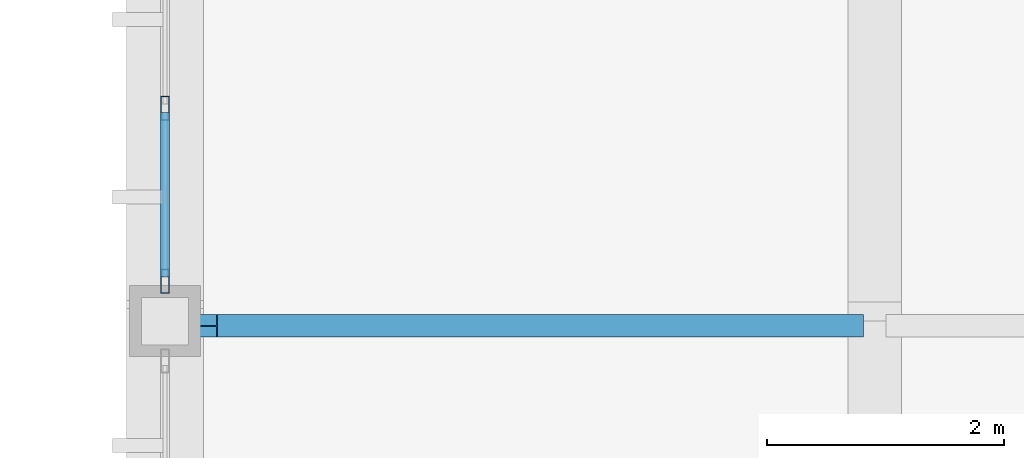
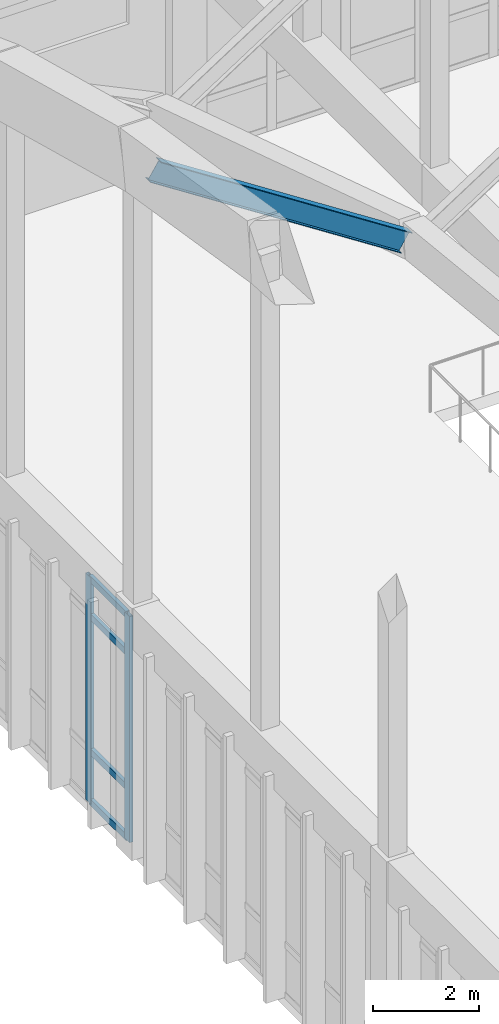
# One storey, part 63 of 236: 6 members, 1 beam, 1 element without a shape of its own.
"""IFC4 building model written with IfcOpenShell, lengths in metres."""

from ifc_helpers import new_model, si_unit, direction, frame, origin, origin_2d, place, context, subcontext, project, spatial, hollow_rectangle, i_section, extrude, material, layer, layer_set, material_profile, profile_set, type_object, element, aggregate, save


model = new_model("IFC4")

# Units and contexts
model_context = context("Model", 3, precision=1e-05, world=origin(), true_north=direction((0.0, 1.0)))
body_context = subcontext(model_context, "Body", "Model", "MODEL_VIEW")
ifc_project = project(units=[si_unit("LENGTHUNIT", "METRE"), si_unit("AREAUNIT", "SQUARE_METRE"), si_unit("VOLUMEUNIT", "CUBIC_METRE"), si_unit("PLANEANGLEUNIT", "RADIAN"), si_unit("MASSUNIT", "GRAM", prefix="KILO")], contexts=[model_context])

# Site, building, storey
site_placement = place(None, origin())
site = spatial("IfcSite", under=ifc_project, at=site_placement, CompositionType="ELEMENT")
building_placement = place(site_placement, origin())
building = spatial("IfcBuilding", under=site, at=building_placement, Name="Pandanus Reach Market Hall", CompositionType="ELEMENT")
storey_placement = place(building_placement, frame((0.0, 0.0, 5.39990234375)))
storey = spatial("IfcBuildingStorey", under=building, at=storey_placement, Name="L01", CompositionType="ELEMENT", Elevation=5.39990234375)

# Beam
ifc_material_1 = material(Name="Steel Grade 350 (350 MPa)", Category="steel")
ifc_material_profile_1 = material_profile(ifc_material_1, i_section(OverallWidth=0.18994140625, OverallDepth=0.45703125, WebThickness=0.009033203125, FlangeThickness=0.014404296875, at=origin_2d()), Name="460UB74.6", Category="LoadBearing")
ifc_profile_set_1 = profile_set([ifc_material_profile_1], Name="Steel Grade 350 (350 MPa)")
beam_type = type_object("IfcBeamType", Name="BM-UB460-I", PredefinedType="BEAM", material=ifc_profile_set_1)
beam_placement = place(storey_placement, frame((48.320068359375, 67.159912109375, 15.516357421875), z_axis=(0.839070527962, 0.0, -0.544022654956), x_axis=(0.0, 1.0, 0.0)))
element("IfcBeam", 1, at=beam_placement, inside=storey, type_object=beam_type, Name="Butterfly transverse rib B1.5L", PredefinedType="BEAM", context=body_context, shape_type="SweptSolid", body=[
    extrude(i_section(OverallWidth=0.18994140625, OverallDepth=0.45703125, WebThickness=0.009033203125, FlangeThickness=0.014404296875, at=origin_2d()), origin(), (0.0, 0.0, 1.0), 6.507080078125),
])

# Curtain wall, members
ifc_material_2 = material(Name="Bronze anodised aluminium and low-E glass", Category="aluminium")
ifc_layer = layer(ifc_material_2, 0.199951171875, Name="CW-05")
ifc_layer_set = layer_set([ifc_layer], Name="Bronze anodised aluminium and low-E glass")
curtain_wall_type = type_object("IfcCurtainWallType", Name="CW-05", PredefinedType="NOTDEFINED", material=ifc_layer_set)
curtain_wall_placement = place(storey_placement, origin())
curtain_wall = element("IfcCurtainWall", 2, at=curtain_wall_placement, inside=storey, type_object=curtain_wall_type, Name="Glazed curtain wall CW-05 CW-0032", PredefinedType="NOTDEFINED")
ifc_material_3 = material(Name="Bronze anodised aluminium", Category="aluminium")
ifc_material_profile_2 = material_profile(ifc_material_3, hollow_rectangle(XDim=0.074951171875, YDim=0.199951171875, WallThickness=0.00439453125, at=origin_2d()), Name="ALU75x200", Category="LoadBearing")
ifc_profile_set_2 = profile_set([ifc_material_profile_2], Name="Bronze anodised aluminium")
member_type_1 = type_object("IfcMemberType", Name="CW-M2", PredefinedType="MULLION", material=ifc_profile_set_2)
member_1_placement = place(storey_placement, frame((48.0, 67.53759765625, 0.0), z_axis=(0.0, 0.0, 1.0), x_axis=(-1.0, 0.0, 0.0)))
member_1 = element("IfcMember", 3, at=member_1_placement, type_object=member_type_1, Name="CW-05 mullion 1", PredefinedType="MULLION", context=body_context, shape_type="SweptSolid", body=[
    extrude(hollow_rectangle(XDim=0.074951171875, YDim=0.199951171875, WallThickness=0.00439453125, at=origin_2d()), origin(), (0.0, 0.0, 1.0), 5.2001953125),
])
member_2_placement = place(storey_placement, frame((48.0, 69.0, 0.0), z_axis=(0.0, 0.0, 1.0), x_axis=(-1.0, 0.0, 0.0)))
member_2 = element("IfcMember", 4, at=member_2_placement, type_object=member_type_1, Name="CW-05 mullion 2", PredefinedType="MULLION", context=body_context, shape_type="SweptSolid", body=[
    extrude(hollow_rectangle(XDim=0.074951171875, YDim=0.199951171875, WallThickness=0.00439453125, at=origin_2d()), origin(), (0.0, 0.0, 1.0), 5.2001953125),
])
ifc_material_profile_3 = material_profile(ifc_material_3, hollow_rectangle(XDim=0.074951171875, YDim=0.14990234375, WallThickness=0.00439453125, at=origin_2d()), Name="ALU75x150", Category="LoadBearing")
ifc_profile_set_3 = profile_set([ifc_material_profile_3], Name="Bronze anodised aluminium")
member_type_2 = type_object("IfcMemberType", Name="CW-T2", PredefinedType="USERDEFINED", material=ifc_profile_set_3)
member_3_placement = place(storey_placement, frame((48.0, 67.574951171875, 0.03759765625), z_axis=(0.0, 1.0, 0.0), x_axis=(-1.0, 0.0, 0.0)))
member_3 = element("IfcMember", 5, at=member_3_placement, type_object=member_type_2, Name="CW-05 transom 1.1", ObjectType="TRANSOM", PredefinedType="USERDEFINED", context=body_context, shape_type="SweptSolid", body=[
    extrude(hollow_rectangle(XDim=0.074951171875, YDim=0.14990234375, WallThickness=0.00439453125, at=origin_2d()), origin(), (0.0, 0.0, 1.0), 1.387451171875),
])
member_4_placement = place(storey_placement, frame((48.0, 67.574951171875, 1.2001953125), z_axis=(0.0, 1.0, 0.0), x_axis=(-1.0, 0.0, 0.0)))
member_4 = element("IfcMember", 6, at=member_4_placement, type_object=member_type_2, Name="CW-05 transom 1.2", ObjectType="TRANSOM", PredefinedType="USERDEFINED", context=body_context, shape_type="SweptSolid", body=[
    extrude(hollow_rectangle(XDim=0.074951171875, YDim=0.14990234375, WallThickness=0.00439453125, at=origin_2d()), origin(), (0.0, 0.0, 1.0), 1.387451171875),
])
member_5_placement = place(storey_placement, frame((48.0, 67.574951171875, 4.300048828125), z_axis=(0.0, 1.0, 0.0), x_axis=(-1.0, 0.0, 0.0)))
member_5 = element("IfcMember", 7, at=member_5_placement, type_object=member_type_2, Name="CW-05 transom 1.3", ObjectType="TRANSOM", PredefinedType="USERDEFINED", context=body_context, shape_type="SweptSolid", body=[
    extrude(hollow_rectangle(XDim=0.074951171875, YDim=0.14990234375, WallThickness=0.00439453125, at=origin_2d()), origin(), (0.0, 0.0, 1.0), 1.387451171875),
])
member_6_placement = place(storey_placement, frame((48.0, 67.574951171875, 5.16259765625), z_axis=(0.0, 1.0, 0.0), x_axis=(-1.0, 0.0, 0.0)))
member_6 = element("IfcMember", 8, at=member_6_placement, type_object=member_type_2, Name="CW-05 transom 1.4", ObjectType="TRANSOM", PredefinedType="USERDEFINED", context=body_context, shape_type="SweptSolid", body=[
    extrude(hollow_rectangle(XDim=0.074951171875, YDim=0.14990234375, WallThickness=0.00439453125, at=origin_2d()), origin(), (0.0, 0.0, 1.0), 1.387451171875),
])
aggregate(curtain_wall, [member_1, member_2, member_3, member_4, member_5, member_6])

save(model, "model.ifc")
